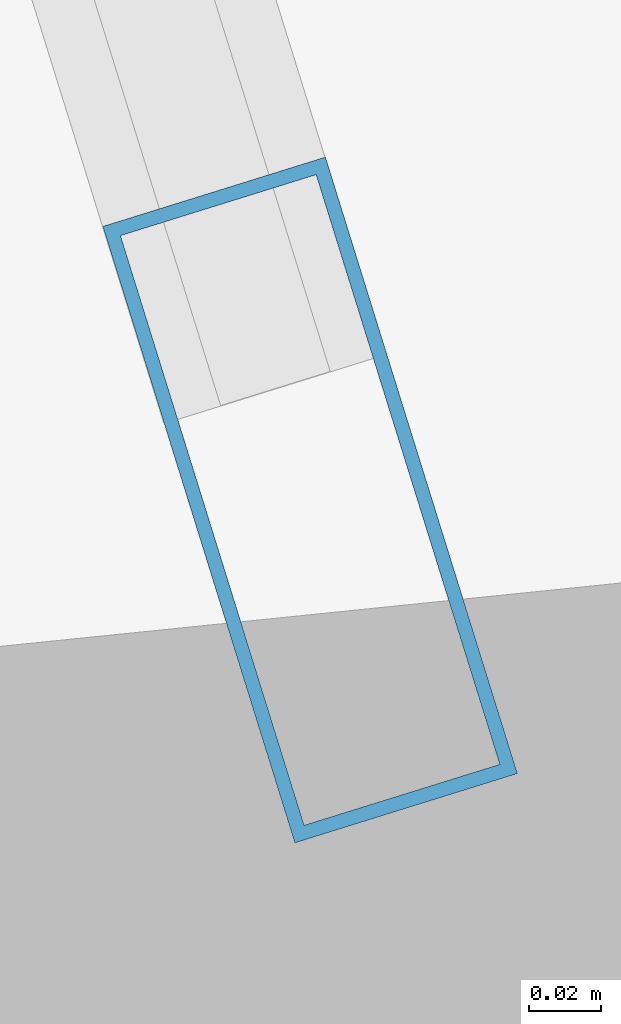
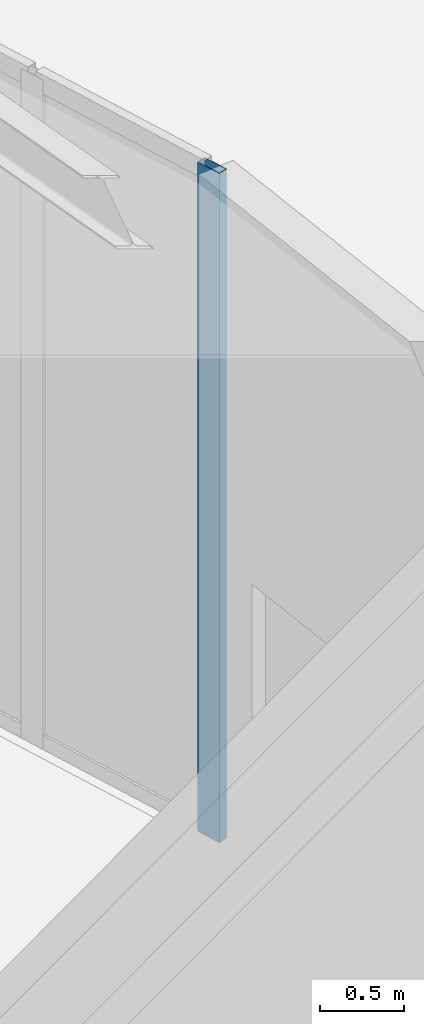
# One storey, part 16 of 46: 1 member, 1 element without a shape of its own.
"""IFC4 building model written with IfcOpenShell, lengths in metres."""

from ifc_helpers import new_model, si_unit, direction, frame, origin, origin_2d, place, context, subcontext, project, spatial, hollow_rectangle, extrude, source, transform, mapped, material, layer, layer_set, material_profile, profile_set, type_object, element, aggregate, save


model = new_model("IFC4")

# Units and contexts
model_context = context("Model", 3, precision=1e-05, world=origin(), true_north=direction((0.0, 1.0)))
body_context = subcontext(model_context, "Body", "Model", "MODEL_VIEW")
ifc_project = project(units=[si_unit("LENGTHUNIT", "METRE"), si_unit("AREAUNIT", "SQUARE_METRE"), si_unit("VOLUMEUNIT", "CUBIC_METRE"), si_unit("PLANEANGLEUNIT", "RADIAN"), si_unit("MASSUNIT", "GRAM", prefix="KILO")], contexts=[model_context])

# Site, building, storey
site_placement = place(None, origin())
site = spatial("IfcSite", under=ifc_project, at=site_placement, CompositionType="ELEMENT")
building_placement = place(site_placement, origin())
building = spatial("IfcBuilding", under=site, at=building_placement, Name="Linh Dai School and Residence Tower", CompositionType="ELEMENT")
storey_placement = place(building_placement, origin())
storey = spatial("IfcBuildingStorey", under=building, at=storey_placement, Name="L00", CompositionType="ELEMENT", Elevation=0.0)

# Curtain wall, member
ifc_material_1 = material(Name="Aluminium Anodised Curtain Wall", Category="aluminium")
ifc_layer = layer(ifc_material_1, 0.179931640625)
ifc_layer_set = layer_set([ifc_layer], Name="Aluminium Anodised Curtain Wall")
curtain_wall_type = type_object("IfcCurtainWallType", Name="CW-SYS-1", PredefinedType="USERDEFINED", material=ifc_layer_set)
curtain_wall_placement = place(storey_placement, origin())
curtain_wall = element("IfcCurtainWall", 1, at=curtain_wall_placement, inside=storey, type_object=curtain_wall_type, Name="L00 CW1 Curtain Wall 02", ObjectType="UNITISED CURTAIN WALL", PredefinedType="USERDEFINED")
ifc_material_2 = material(Name="Aluminium Alloy 6063-T6", Category="aluminium")
ifc_material_profile = material_profile(ifc_material_2, hollow_rectangle(XDim=0.06494140625, YDim=0.179931640625, WallThickness=0.00390625, at=origin_2d()), Name="RHS 180x65x4")
ifc_profile_set = profile_set([ifc_material_profile], Name="Aluminium Alloy 6063-T6")
member_type = type_object("IfcMemberType", Name="CW-SYS-1-MUL", PredefinedType="MULLION", material=ifc_profile_set)
shared_shape = source(origin(), body_context, "Body", "SweptSolid", [
    extrude(hollow_rectangle(XDim=0.06494140625, YDim=0.179931640625, WallThickness=0.00390625, at=origin_2d()), origin(), (0.0, 0.0, 1.0), 4.885009765625),
])
member_placement = place(storey_placement, frame((59.572509765625, 29.89990234375, 0.0), z_axis=(0.0, 0.0, 1.0), x_axis=(0.954760777829, 0.297374943665, 0.0)))
member = element("IfcMember", 2, at=member_placement, type_object=member_type, Name="CW1 mullion 3", PredefinedType="MULLION", context=body_context, shape_type="MappedRepresentation", body=[
    mapped(shared_shape, transform((0.0, 0.0, 0.0), x_axis=(1.0, 0.0, 0.0), y_axis=(0.0, 1.0, 0.0), z_axis=(0.0, 0.0, 1.0), scale=1.0)),
])
aggregate(curtain_wall, [member])

save(model, "model.ifc")
